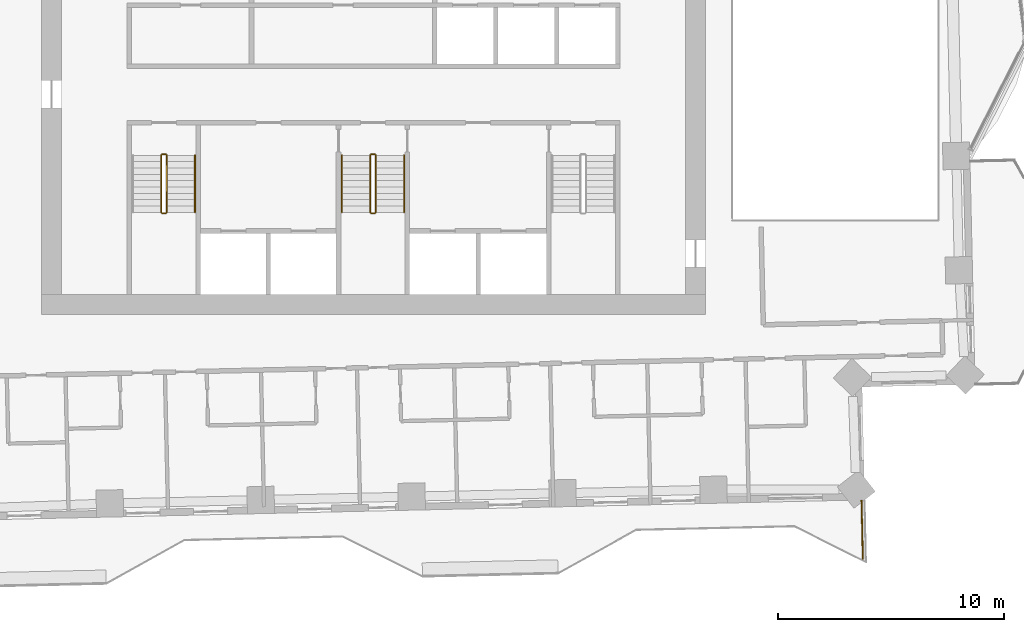
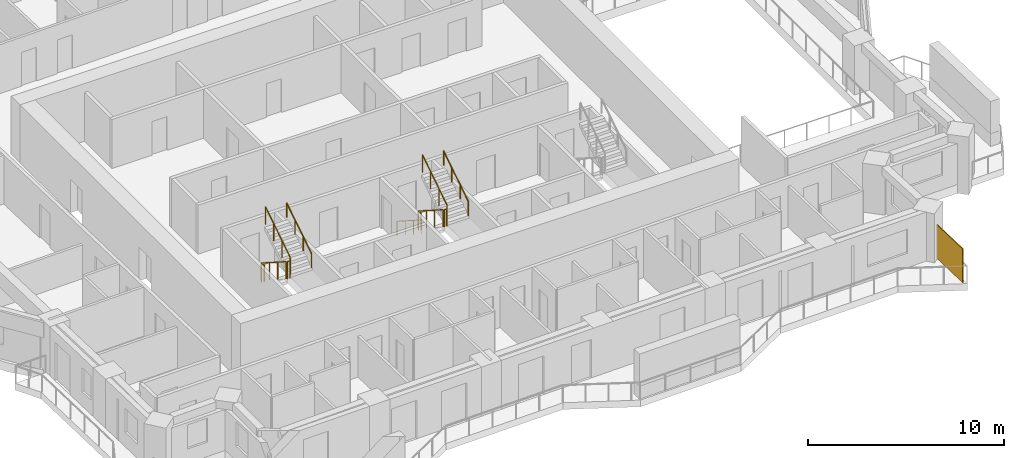
# One storey, part 14 of 16: 11 railings, 1 shading device.
"""IFC4 building model written with IfcOpenShell, lengths in metres."""

from ifc_helpers import new_model, si_unit, direction, frame, origin, origin_2d, place, context, subcontext, project, spatial, rectangle, circle, extrude, material, type_object, element, save


model = new_model("IFC4")

# Units and contexts
model_context = context("Model", 3, precision=1e-05, world=origin(), true_north=direction((0.0, 1.0)))
body_context = subcontext(model_context, "Body", "Model", "MODEL_VIEW")
ifc_project = project(units=[si_unit("LENGTHUNIT", "METRE"), si_unit("AREAUNIT", "SQUARE_METRE"), si_unit("VOLUMEUNIT", "CUBIC_METRE"), si_unit("PLANEANGLEUNIT", "RADIAN"), si_unit("MASSUNIT", "GRAM", prefix="KILO")], contexts=[model_context])

# Site, building, storey
site_placement = place(None, origin())
site = spatial("IfcSite", under=ifc_project, at=site_placement, CompositionType="ELEMENT")
building_placement = place(site_placement, origin())
building = spatial("IfcBuilding", under=site, at=building_placement, Name="Mangrove Gate Tower", CompositionType="ELEMENT")
storey_placement = place(building_placement, frame((0.0, 0.0, 175.300048828125)))
storey = spatial("IfcBuildingStorey", under=building, at=storey_placement, Name="L44", CompositionType="ELEMENT", Elevation=175.300048828125)

# Shading device
ifc_material_1 = material(Name="Timber slat screen in teak", Category="wood")
shading_device_type = type_object("IfcShadingDeviceType", Name="Balcony screen 2100", PredefinedType="USERDEFINED", material=ifc_material_1)
shading_device_placement = place(storey_placement, frame((21.6240234375, -21.221923828125, 0.0), z_axis=(0.0, 0.0, 1.0), x_axis=(0.022861821228, -0.999738634409, 0.0)))
element("IfcShadingDevice", 1, at=shading_device_placement, inside=storey, type_object=shading_device_type, Name="SCREEN L44 S1", ObjectType="SCREEN", PredefinedType="USERDEFINED", context=body_context, shape_type="SweptSolid", body=[
    extrude(rectangle(XDim=2.60009765625, YDim=0.050048828125, at=origin_2d()), origin(), (0.0, 0.0, 1.0), 2.10009765625),
])

# Railings
ifc_material_2 = material(Name="Stainless steel 316", Category="steel")
railing_type_1 = type_object("IfcRailingType", Name="Core stair guard 1100", PredefinedType="GUARDRAIL", material=ifc_material_2)
railing_1_placement = place(storey_placement, frame((-9.39990234375, -4.64990234375, 0.179931640625)))
element("IfcRailing", 2, at=railing_1_placement, inside=storey, type_object=railing_type_1, Name="L44 ST1 stair guard 1", PredefinedType="GUARDRAIL", context=body_context, shape_type="SweptSolid", body=[
    extrude(rectangle(XDim=0.048095703125, YDim=0.048095703125, at=origin_2d()), frame((0.0, 0.0, 1.076171875), z_axis=(0.0, -0.841162588446, 0.540782303519), x_axis=(1.0, 0.0, 0.0)), (0.0, 0.0, 1.0), 2.995849609375),
    extrude(rectangle(XDim=0.0419921875, YDim=0.0419921875, at=origin_2d()), origin(), (0.0, 0.0, 1.0), 1.052001953125),
    extrude(rectangle(XDim=0.0419921875, YDim=0.0419921875, at=origin_2d()), frame((0.0, -0.840087890625, 0.5400390625)), (0.0, 0.0, 1.0), 1.052001953125),
    extrude(rectangle(XDim=0.0419921875, YDim=0.0419921875, at=origin_2d()), frame((0.0, -1.679931640625, 1.080078125)), (0.0, 0.0, 1.0), 1.052001953125),
    extrude(rectangle(XDim=0.0419921875, YDim=0.0419921875, at=origin_2d()), frame((0.0, -2.52001953125, 1.6201171875)), (0.0, 0.0, 1.0), 1.052001953125),
])
railing_2_placement = place(storey_placement, frame((-9.35009765625, -7.219970703125, 1.800048828125)))
element("IfcRailing", 3, at=railing_2_placement, inside=storey, type_object=railing_type_1, Name="L44 ST1 stair guard 2", PredefinedType="GUARDRAIL", context=body_context, shape_type="SweptSolid", body=[
    extrude(rectangle(XDim=0.048095703125, YDim=0.048095703125, at=origin_2d()), frame((0.0, 0.0, 1.076171875), z_axis=(1.0, 0.0, 0.0), x_axis=(0.0, 1.0, 0.0)), (0.0, 0.0, 1.0), 0.150146484375),
    extrude(rectangle(XDim=0.0419921875, YDim=0.0419921875, at=origin_2d()), origin(), (0.0, 0.0, 1.0), 1.052001953125),
    extrude(rectangle(XDim=0.0419921875, YDim=0.0419921875, at=origin_2d()), frame((0.150146484375, 0.0, 0.0)), (0.0, 0.0, 1.0), 1.052001953125),
])
railing_3_placement = place(storey_placement, frame((-9.14990234375, -7.169921875, 1.97998046875)))
element("IfcRailing", 4, at=railing_3_placement, inside=storey, type_object=railing_type_1, Name="L44 ST1 stair guard 3", PredefinedType="GUARDRAIL", context=body_context, shape_type="SweptSolid", body=[
    extrude(rectangle(XDim=0.048095703125, YDim=0.048095703125, at=origin_2d()), frame((0.0, 0.0, 1.076171875), z_axis=(0.0, 0.841199657755, 0.540724639528), x_axis=(-1.0, 0.0, 0.0)), (0.0, 0.0, 1.0), 2.995849609375),
    extrude(rectangle(XDim=0.0419921875, YDim=0.0419921875, at=origin_2d()), origin(), (0.0, 0.0, 1.0), 1.052001953125),
    extrude(rectangle(XDim=0.0419921875, YDim=0.0419921875, at=origin_2d()), frame((0.0, 0.840087890625, 0.5400390625)), (0.0, 0.0, 1.0), 1.052001953125),
    extrude(rectangle(XDim=0.0419921875, YDim=0.0419921875, at=origin_2d()), frame((0.0, 1.679931640625, 1.079833984375)), (0.0, 0.0, 1.0), 1.052001953125),
    extrude(rectangle(XDim=0.0419921875, YDim=0.0419921875, at=origin_2d()), frame((0.0, 2.52001953125, 1.619873046875)), (0.0, 0.0, 1.0), 1.052001953125),
])
railing_4_placement = place(storey_placement, frame((-9.35009765625, -4.60009765625, 0.0)))
element("IfcRailing", 5, at=railing_4_placement, inside=storey, type_object=railing_type_1, Name="L44 ST1 stair guard 4", PredefinedType="GUARDRAIL", context=body_context, shape_type="SweptSolid", body=[
    extrude(rectangle(XDim=0.048095703125, YDim=0.048095703125, at=origin_2d()), frame((0.0, 0.0, 1.076171875), z_axis=(1.0, 0.0, 0.0), x_axis=(0.0, 1.0, 0.0)), (0.0, 0.0, 1.0), 0.150146484375),
    extrude(rectangle(XDim=0.0419921875, YDim=0.0419921875, at=origin_2d()), origin(), (0.0, 0.0, 1.0), 1.052001953125),
    extrude(rectangle(XDim=0.0419921875, YDim=0.0419921875, at=origin_2d()), frame((0.150146484375, 0.0, 0.0)), (0.0, 0.0, 1.0), 1.052001953125),
])
railing_5_placement = place(storey_placement, frame((-0.14990234375, -4.64990234375, 0.179931640625)))
element("IfcRailing", 6, at=railing_5_placement, inside=storey, type_object=railing_type_1, Name="L44 ST2 stair guard 1", PredefinedType="GUARDRAIL", context=body_context, shape_type="SweptSolid", body=[
    extrude(rectangle(XDim=0.048095703125, YDim=0.048095703125, at=origin_2d()), frame((0.0, 0.0, 1.076171875), z_axis=(0.0, -0.841162588446, 0.540782303519), x_axis=(1.0, 0.0, 0.0)), (0.0, 0.0, 1.0), 2.995849609375),
    extrude(rectangle(XDim=0.0419921875, YDim=0.0419921875, at=origin_2d()), origin(), (0.0, 0.0, 1.0), 1.052001953125),
    extrude(rectangle(XDim=0.0419921875, YDim=0.0419921875, at=origin_2d()), frame((0.0, -0.840087890625, 0.5400390625)), (0.0, 0.0, 1.0), 1.052001953125),
    extrude(rectangle(XDim=0.0419921875, YDim=0.0419921875, at=origin_2d()), frame((0.0, -1.679931640625, 1.080078125)), (0.0, 0.0, 1.0), 1.052001953125),
    extrude(rectangle(XDim=0.0419921875, YDim=0.0419921875, at=origin_2d()), frame((0.0, -2.52001953125, 1.6201171875)), (0.0, 0.0, 1.0), 1.052001953125),
])
railing_6_placement = place(storey_placement, frame((-0.10009765625, -7.219970703125, 1.800048828125)))
element("IfcRailing", 7, at=railing_6_placement, inside=storey, type_object=railing_type_1, Name="L44 ST2 stair guard 2", PredefinedType="GUARDRAIL", context=body_context, shape_type="SweptSolid", body=[
    extrude(rectangle(XDim=0.048095703125, YDim=0.048095703125, at=origin_2d()), frame((0.0, 0.0, 1.076171875), z_axis=(1.0, 0.0, 0.0), x_axis=(0.0, 1.0, 0.0)), (0.0, 0.0, 1.0), 0.150146484375),
    extrude(rectangle(XDim=0.0419921875, YDim=0.0419921875, at=origin_2d()), origin(), (0.0, 0.0, 1.0), 1.052001953125),
    extrude(rectangle(XDim=0.0419921875, YDim=0.0419921875, at=origin_2d()), frame((0.150146484375, 0.0, 0.0)), (0.0, 0.0, 1.0), 1.052001953125),
])
railing_7_placement = place(storey_placement, frame((0.10009765625, -7.169921875, 1.97998046875)))
element("IfcRailing", 8, at=railing_7_placement, inside=storey, type_object=railing_type_1, Name="L44 ST2 stair guard 3", PredefinedType="GUARDRAIL", context=body_context, shape_type="SweptSolid", body=[
    extrude(rectangle(XDim=0.048095703125, YDim=0.048095703125, at=origin_2d()), frame((0.0, 0.0, 1.076171875), z_axis=(0.0, 0.841199657755, 0.540724639528), x_axis=(-1.0, 0.0, 0.0)), (0.0, 0.0, 1.0), 2.995849609375),
    extrude(rectangle(XDim=0.0419921875, YDim=0.0419921875, at=origin_2d()), origin(), (0.0, 0.0, 1.0), 1.052001953125),
    extrude(rectangle(XDim=0.0419921875, YDim=0.0419921875, at=origin_2d()), frame((0.0, 0.840087890625, 0.5400390625)), (0.0, 0.0, 1.0), 1.052001953125),
    extrude(rectangle(XDim=0.0419921875, YDim=0.0419921875, at=origin_2d()), frame((0.0, 1.679931640625, 1.079833984375)), (0.0, 0.0, 1.0), 1.052001953125),
    extrude(rectangle(XDim=0.0419921875, YDim=0.0419921875, at=origin_2d()), frame((0.0, 2.52001953125, 1.619873046875)), (0.0, 0.0, 1.0), 1.052001953125),
])
railing_8_placement = place(storey_placement, frame((-0.10009765625, -4.60009765625, 0.0)))
element("IfcRailing", 9, at=railing_8_placement, inside=storey, type_object=railing_type_1, Name="L44 ST2 stair guard 4", PredefinedType="GUARDRAIL", context=body_context, shape_type="SweptSolid", body=[
    extrude(rectangle(XDim=0.048095703125, YDim=0.048095703125, at=origin_2d()), frame((0.0, 0.0, 1.076171875), z_axis=(1.0, 0.0, 0.0), x_axis=(0.0, 1.0, 0.0)), (0.0, 0.0, 1.0), 0.150146484375),
    extrude(rectangle(XDim=0.0419921875, YDim=0.0419921875, at=origin_2d()), origin(), (0.0, 0.0, 1.0), 1.052001953125),
    extrude(rectangle(XDim=0.0419921875, YDim=0.0419921875, at=origin_2d()), frame((0.150146484375, 0.0, 0.0)), (0.0, 0.0, 1.0), 1.052001953125),
])
ifc_material_3 = material(Name="Stainless steel 316", Category="steel")
railing_type_2 = type_object("IfcRailingType", Name="Core stair handrail 900", PredefinedType="HANDRAIL", material=ifc_material_3)
railing_9_placement = place(storey_placement, frame((-7.89990234375, -7.169921875, 1.97998046875)))
element("IfcRailing", 10, at=railing_9_placement, inside=storey, type_object=railing_type_2, Name="L44 ST1 stair handrail 2", PredefinedType="HANDRAIL", context=body_context, shape_type="SweptSolid", body=[
    extrude(circle(Radius=0.02392578125, at=origin_2d()), frame((0.0, 0.0, 0.8759765625), z_axis=(0.0, 0.841199657755, 0.540724639528), x_axis=(-1.0, 0.0, 0.0)), (0.0, 0.0, 1.0), 2.995849609375),
    extrude(circle(Radius=0.02099609375, at=origin_2d()), origin(), (0.0, 0.0, 1.0), 0.851806640625),
    extrude(circle(Radius=0.02099609375, at=origin_2d()), frame((0.0, 0.840087890625, 0.5400390625)), (0.0, 0.0, 1.0), 0.851806640625),
    extrude(circle(Radius=0.02099609375, at=origin_2d()), frame((0.0, 1.679931640625, 1.079833984375)), (0.0, 0.0, 1.0), 0.851806640625),
    extrude(circle(Radius=0.02099609375, at=origin_2d()), frame((0.0, 2.52001953125, 1.619873046875)), (0.0, 0.0, 1.0), 0.851806640625),
])
railing_10_placement = place(storey_placement, frame((-1.39990234375, -4.64990234375, 0.179931640625)))
element("IfcRailing", 11, at=railing_10_placement, inside=storey, type_object=railing_type_2, Name="L44 ST2 stair handrail 1", PredefinedType="HANDRAIL", context=body_context, shape_type="SweptSolid", body=[
    extrude(circle(Radius=0.02392578125, at=origin_2d()), frame((0.0, 0.0, 0.8759765625), z_axis=(0.0, -0.841162588446, 0.540782303519), x_axis=(1.0, 0.0, 0.0)), (0.0, 0.0, 1.0), 2.995849609375),
    extrude(circle(Radius=0.02099609375, at=origin_2d()), origin(), (0.0, 0.0, 1.0), 0.851806640625),
    extrude(circle(Radius=0.02099609375, at=origin_2d()), frame((0.0, -0.840087890625, 0.5400390625)), (0.0, 0.0, 1.0), 0.851806640625),
    extrude(circle(Radius=0.02099609375, at=origin_2d()), frame((0.0, -1.679931640625, 1.080078125)), (0.0, 0.0, 1.0), 0.851806640625),
    extrude(circle(Radius=0.02099609375, at=origin_2d()), frame((0.0, -2.52001953125, 1.6201171875)), (0.0, 0.0, 1.0), 0.851806640625),
])
railing_11_placement = place(storey_placement, frame((1.35009765625, -7.169921875, 1.97998046875)))
element("IfcRailing", 12, at=railing_11_placement, inside=storey, type_object=railing_type_2, Name="L44 ST2 stair handrail 2", PredefinedType="HANDRAIL", context=body_context, shape_type="SweptSolid", body=[
    extrude(circle(Radius=0.02392578125, at=origin_2d()), frame((0.0, 0.0, 0.8759765625), z_axis=(0.0, 0.841199657755, 0.540724639528), x_axis=(-1.0, 0.0, 0.0)), (0.0, 0.0, 1.0), 2.995849609375),
    extrude(circle(Radius=0.02099609375, at=origin_2d()), origin(), (0.0, 0.0, 1.0), 0.851806640625),
    extrude(circle(Radius=0.02099609375, at=origin_2d()), frame((0.0, 0.840087890625, 0.5400390625)), (0.0, 0.0, 1.0), 0.851806640625),
    extrude(circle(Radius=0.02099609375, at=origin_2d()), frame((0.0, 1.679931640625, 1.079833984375)), (0.0, 0.0, 1.0), 0.851806640625),
    extrude(circle(Radius=0.02099609375, at=origin_2d()), frame((0.0, 2.52001953125, 1.619873046875)), (0.0, 0.0, 1.0), 0.851806640625),
])

save(model, "model.ifc")
